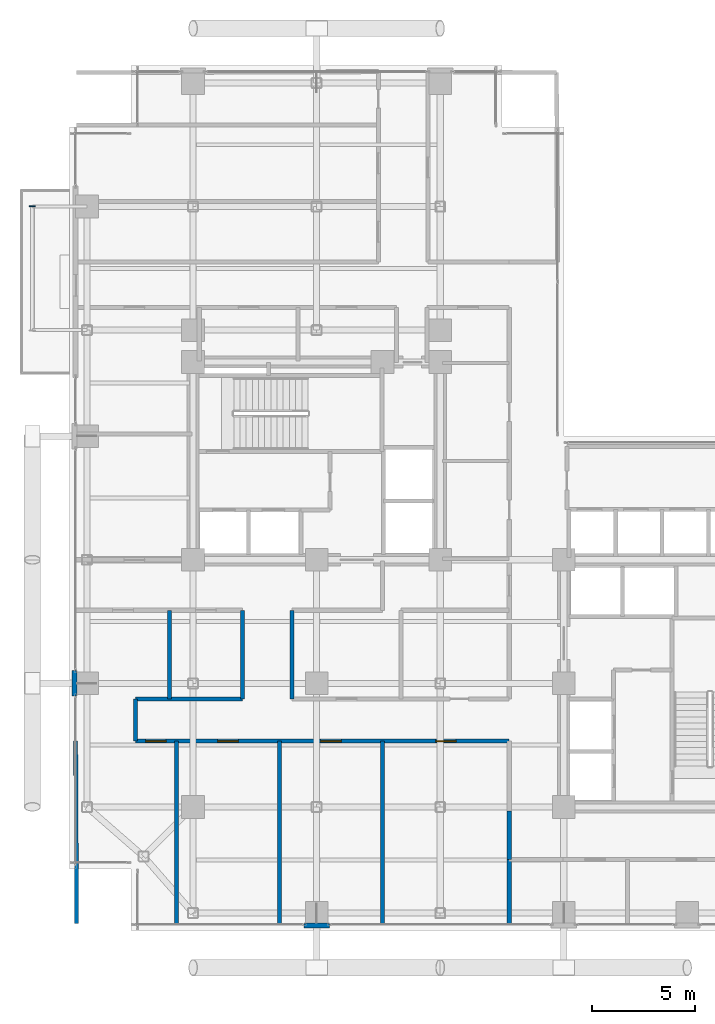
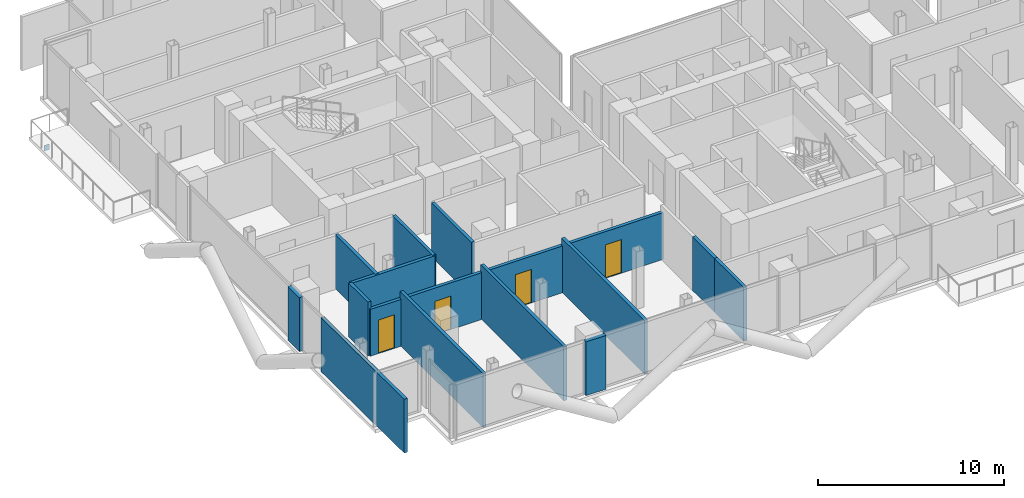
# One storey, part 21 of 28: 14 walls, 4 doors, 1 plate, 4 openings.
"""IFC4 building model written with IfcOpenShell, lengths in metres."""

from ifc_helpers import new_model, si_unit, direction, frame, frame_2d, origin, origin_2d, place, context, subcontext, project, spatial, rectangle, extrude, material, layer, layer_set, type_object, element, fill, save


model = new_model("IFC4")

# Units and contexts
model_context = context("Model", 3, precision=1e-05, world=origin(), true_north=direction((0.0, 1.0)))
body_context = subcontext(model_context, "Body", "Model", "MODEL_VIEW")
ifc_project = project(units=[si_unit("LENGTHUNIT", "METRE"), si_unit("AREAUNIT", "SQUARE_METRE"), si_unit("VOLUMEUNIT", "CUBIC_METRE"), si_unit("PLANEANGLEUNIT", "RADIAN"), si_unit("MASSUNIT", "GRAM", prefix="KILO"), si_unit("THERMODYNAMICTEMPERATUREUNIT", "KELVIN"), si_unit("POWERUNIT", "WATT")], contexts=[model_context])

# Site, building, storey
site_placement = place(None, origin())
site = spatial("IfcSite", under=ifc_project, at=site_placement, CompositionType="ELEMENT")
building_placement = place(site_placement, origin())
building = spatial("IfcBuilding", under=site, at=building_placement, Name="Svarakhadi Broadcast Tower", CompositionType="ELEMENT")
storey_placement = place(building_placement, frame((0.0, 0.0, 123.14990234375)))
storey = spatial("IfcBuildingStorey", under=building, at=storey_placement, Name="L29", CompositionType="ELEMENT", Elevation=123.14990234375)

# Plate
ifc_material_1 = material(Name="Steel S460ML (IS 2062 E450BR)", Category="steel")
ifc_layer_1 = layer(ifc_material_1, 0.028076171875)
ifc_layer_set_1 = layer_set([ifc_layer_1], Name="Steel S460ML (IS 2062 E450BR)")
plate_type = type_object("IfcPlateType", Name="Cap_Plate_CP02", PredefinedType="USERDEFINED", material=ifc_layer_set_1)
plate_placement = place(storey_placement, frame((-1.800048828125, 35.1650390625, -0.55517578125), z_axis=(0.0, 0.0, 1.0), x_axis=(1.0, 0.0, 0.0)))
element("IfcPlate", 1, at=plate_placement, inside=storey, type_object=plate_type, Name="L29 Balcony Spandrel End Cap Plate 2F-B", ObjectType="FLANGE_PLATE", PredefinedType="USERDEFINED", context=body_context, shape_type="SweptSolid", body=[
    extrude(rectangle(XDim=0.300048828125, YDim=0.0400390625, at=origin_2d()), origin(), (0.0, 0.0, 1.0), 0.360107421875),
])

# Walls
ifc_material_2 = material(Name="Double-Stud Acoustic Studio Partition STC-62", Category="gypsum")
ifc_layer_2 = layer(ifc_material_2, 0.199951171875)
ifc_layer_set_2 = layer_set([ifc_layer_2], Name="Double-Stud Acoustic Studio Partition STC-62")
wall_type_1 = type_object("IfcWallType", Name="Wall_Acoust_200", PredefinedType="PARTITIONING", material=ifc_layer_set_2)
wall_1_placement = place(storey_placement, frame((21.35009765625, 0.300048828125, 0.0), z_axis=(0.0, 0.0, 1.0), x_axis=(0.0, 1.0, 0.0)))
element("IfcWall", 2, at=wall_1_placement, inside=storey, type_object=wall_type_1, Name="L29 Harbour Front Production Office Wall", PredefinedType="PARTITIONING", context=body_context, shape_type="SweptSolid", body=[
    extrude(rectangle(XDim=3.14990234375, YDim=0.199951171875, at=frame_2d((1.574951171875, 0.0))), origin(), (0.0, 0.0, 1.0), 3.525146484375),
])
wall_2_placement = place(storey_placement, frame((0.35009765625, 0.35009765625, 0.0), z_axis=(0.0, 0.0, 1.0), x_axis=(-0.005655237989, 0.999984009014, 0.0)))
element("IfcWall", 3, at=wall_2_placement, inside=storey, type_object=wall_type_1, Name="L29 Offline Edit Pod 1 Wall", PredefinedType="PARTITIONING", context=body_context, shape_type="SweptSolid", body=[
    extrude(rectangle(XDim=8.85009765625, YDim=0.199951171875, at=frame_2d((4.425048828125, 0.0))), origin(), (0.0, 0.0, 1.0), 3.525146484375),
])
for number, where, z_axis, x_axis, name in (
    (4, (5.199951171875, 0.300048828125, 0.0), (0.0, 0.0, 1.0), (0.0, 1.0, 0.0), "L29 Offline Edit Pod 1 Wall"),
    (5, (10.199951171875, 0.300048828125, 0.0), (0.0, 0.0, 1.0), (0.0, 1.0, 0.0), "L29 Offline Edit Pod 2 Wall"),
    (6, (15.199951171875, 0.300048828125, 0.0), (0.0, 0.0, 1.0), (0.0, 1.0, 0.0), "L29 Online Finishing Room Wall"),
):
    element("IfcWall", number, at=place(storey_placement, frame(where, z_axis=z_axis, x_axis=x_axis)), inside=storey, type_object=wall_type_1, Name=name, PredefinedType="PARTITIONING", context=body_context, shape_type="SweptSolid", body=[
        extrude(rectangle(XDim=8.89990234375, YDim=0.199951171875, at=frame_2d((4.449951171875, 0.0))), origin(), (0.0, 0.0, 1.0), 3.525146484375),
    ])
wall_3_placement = place(storey_placement, frame((4.85009765625, 11.25, 0.0), z_axis=(0.0, 0.0, 1.0), x_axis=(0.0, 1.0, 0.0)))
element("IfcWall", 7, at=wall_3_placement, inside=storey, type_object=wall_type_1, Name="L29 Voiceover Booth Wall", PredefinedType="PARTITIONING", context=body_context, shape_type="SweptSolid", body=[
    extrude(rectangle(XDim=4.300048828125, YDim=0.199951171875, at=frame_2d((2.14990234375, 0.0))), origin(), (0.0, 0.0, 1.0), 3.525146484375),
])
ifc_material_3 = material(Name="Concrete C40/50 (IS 456 M50)", Category="concrete")
ifc_layer_3 = layer(ifc_material_3, 0.239990234375)
ifc_layer_set_3 = layer_set([ifc_layer_3], Name="Concrete C40/50 (IS 456 M50)")
wall_type_2 = type_object("IfcWallType", Name="Wall_Ext_240", PredefinedType="SOLIDWALL", material=ifc_layer_set_3)
for number, where, z_axis, x_axis, name in (
    (8, (0.239990234375, 11.385009765625, 0.0), (0.0, 0.0, 1.0), (0.0, 1.0, 0.0), "L29 Perimeter Bronze Spandrel Closure Wall 01"),
    (9, (12.614990234375, 0.239990234375, 0.0), (0.0, 0.0, 1.0), (-1.0, 0.0, 0.0), "L29 Perimeter Bronze Spandrel Closure Wall 08"),
):
    element("IfcWall", number, at=place(storey_placement, frame(where, z_axis=z_axis, x_axis=x_axis)), inside=storey, type_object=wall_type_2, Name=name, PredefinedType="SOLIDWALL", context=body_context, shape_type="SweptSolid", body=[
        extrude(rectangle(XDim=1.22998046875, YDim=0.239990234375, at=frame_2d((0.614990234375, 0.0))), origin(), (0.0, 0.0, 1.0), 3.525146484375),
    ])
ifc_layer_4 = layer(ifc_material_3, 0.199951171875)
ifc_layer_set_4 = layer_set([ifc_layer_4], Name="Concrete C40/50 (IS 456 M50)")
wall_type_3 = type_object("IfcWallType", Name="Wall_Fire_200", PredefinedType="SOLIDWALL", material=ifc_layer_set_4)
wall_4_placement = place(storey_placement, frame((21.35009765625, 3.449951171875, 0.0), z_axis=(0.0, 0.0, 1.0), x_axis=(0.0, 1.0, 0.0)))
element("IfcWall", 10, at=wall_4_placement, inside=storey, type_object=wall_type_3, Name="L29 Zone 2/3 Corridor Wall", PredefinedType="SOLIDWALL", context=body_context, shape_type="SweptSolid", body=[
    extrude(rectangle(XDim=2.35009765625, YDim=0.199951171875, at=frame_2d((1.175048828125, 0.0))), origin(), (0.0, 0.0, 1.0), 3.525146484375),
])

# Wall, openings, doors
wall_5_placement = place(storey_placement, frame((21.35009765625, 9.199951171875, 0.0), z_axis=(0.0, 0.0, 1.0), x_axis=(-1.0, 0.0, 0.0)))
wall_5 = element("IfcWall", 11, at=wall_5_placement, inside=storey, type_object=wall_type_3, Name="L29 Zone 2/3 Corridor Wall", PredefinedType="SOLIDWALL", context=body_context, shape_type="SweptSolid", body=[
    extrude(rectangle(XDim=18.150146484375, YDim=0.199951171875, at=frame_2d((9.0751953125, 0.0))), origin(), (0.0, 0.0, 1.0), 3.067138671875),
])
opening_1_placement = place(wall_5_placement, frame((16.64990234375, 0.0, 0.0)))
opening_1 = element("IfcOpeningElement", 12, at=opening_1_placement, cuts=wall_5, Name="Opening D-09", PredefinedType="OPENING", context=body_context, shape_type="SweptSolid", body=[
    extrude(rectangle(XDim=1.0, YDim=2.199951171875, at=frame_2d((0.5, 1.10009765625))), frame((0.0, 0.10986328125, 0.0), z_axis=(0.0, -1.0, 0.0), x_axis=(1.0, 0.0, 0.0)), (0.0, 0.0, 1.0), 0.219970703125),
])
opening_2_placement = place(wall_5_placement, frame((13.14990234375, 0.0, 0.0)))
opening_2 = element("IfcOpeningElement", 13, at=opening_2_placement, cuts=wall_5, Name="Opening D-08", PredefinedType="OPENING", context=body_context, shape_type="SweptSolid", body=[
    extrude(rectangle(XDim=1.0, YDim=2.199951171875, at=frame_2d((0.5, 1.10009765625))), frame((0.0, 0.10986328125, 0.0), z_axis=(0.0, -1.0, 0.0), x_axis=(1.0, 0.0, 0.0)), (0.0, 0.0, 1.0), 0.219970703125),
])
opening_3_placement = place(wall_5_placement, frame((8.14990234375, 0.0, 0.0)))
opening_3 = element("IfcOpeningElement", 14, at=opening_3_placement, cuts=wall_5, Name="Opening D-09", PredefinedType="OPENING", context=body_context, shape_type="SweptSolid", body=[
    extrude(rectangle(XDim=1.0, YDim=2.199951171875, at=frame_2d((0.5, 1.10009765625))), frame((0.0, 0.10986328125, 0.0), z_axis=(0.0, -1.0, 0.0), x_axis=(1.0, 0.0, 0.0)), (0.0, 0.0, 1.0), 0.219970703125),
])
opening_4_placement = place(wall_5_placement, frame((2.574951171875, 0.0, 0.0)))
opening_4 = element("IfcOpeningElement", 15, at=opening_4_placement, cuts=wall_5, Name="Opening D-08", PredefinedType="OPENING", context=body_context, shape_type="SweptSolid", body=[
    extrude(rectangle(XDim=1.0, YDim=2.199951171875, at=frame_2d((0.5, 1.10009765625))), frame((0.0, 0.10986328125, 0.0), z_axis=(0.0, -1.0, 0.0), x_axis=(1.0, 0.0, 0.0)), (0.0, 0.0, 1.0), 0.219970703125),
])
ifc_material_4 = material(Name="Solid-Core Teak Veneer Acoustic Timber Leaf", Category="wood")
door_type_1 = type_object("IfcDoorType", Name="Door_Suite_D08", OperationType="SINGLE_SWING_LEFT", PredefinedType="DOOR", material=ifc_material_4)
door_1_placement = place(opening_2_placement, origin())
door_1 = element("IfcDoor", 16, at=door_1_placement, inside=storey, type_object=door_type_1, Name="L29 Offline Edit Pod 2 Door", OperationType="SINGLE_SWING_LEFT", OverallHeight=2.199951171875, OverallWidth=1.0, PredefinedType="DOOR", context=body_context, shape_type="SweptSolid", body=[
    extrude(rectangle(XDim=1.0, YDim=2.199951171875, at=frame_2d((0.5, 1.10009765625))), frame((0.0, 0.02490234375, 0.0), z_axis=(0.0, -1.0, 0.0), x_axis=(1.0, 0.0, 0.0)), (0.0, 0.0, 1.0), 0.050048828125),
])
fill(opening_2, door_1)
door_2_placement = place(opening_4_placement, origin())
door_2 = element("IfcDoor", 17, at=door_2_placement, inside=storey, type_object=door_type_1, Name="L29 Audio Layback Pod Door", OperationType="SINGLE_SWING_LEFT", OverallHeight=2.199951171875, OverallWidth=1.0, PredefinedType="DOOR", context=body_context, shape_type="SweptSolid", body=[
    extrude(rectangle(XDim=1.0, YDim=2.199951171875, at=frame_2d((0.5, 1.10009765625))), frame((0.0, 0.02490234375, 0.0), z_axis=(0.0, -1.0, 0.0), x_axis=(1.0, 0.0, 0.0)), (0.0, 0.0, 1.0), 0.050048828125),
])
fill(opening_4, door_2)
door_type_2 = type_object("IfcDoorType", Name="Door_Suite_D09", OperationType="SINGLE_SWING_RIGHT", PredefinedType="DOOR", material=ifc_material_4)
door_3_placement = place(opening_1_placement, origin())
door_3 = element("IfcDoor", 18, at=door_3_placement, inside=storey, type_object=door_type_2, Name="L29 Offline Edit Pod 1 Door", OperationType="SINGLE_SWING_RIGHT", OverallHeight=2.199951171875, OverallWidth=1.0, PredefinedType="DOOR", context=body_context, shape_type="SweptSolid", body=[
    extrude(rectangle(XDim=1.0, YDim=2.199951171875, at=frame_2d((0.5, 1.10009765625))), frame((0.0, 0.02490234375, 0.0), z_axis=(0.0, -1.0, 0.0), x_axis=(1.0, 0.0, 0.0)), (0.0, 0.0, 1.0), 0.050048828125),
])
fill(opening_1, door_3)
door_4_placement = place(opening_3_placement, origin())
door_4 = element("IfcDoor", 19, at=door_4_placement, inside=storey, type_object=door_type_2, Name="L29 Online Finishing Room Door", OperationType="SINGLE_SWING_RIGHT", OverallHeight=2.199951171875, OverallWidth=1.0, PredefinedType="DOOR", context=body_context, shape_type="SweptSolid", body=[
    extrude(rectangle(XDim=1.0, YDim=2.199951171875, at=frame_2d((0.5, 1.10009765625))), frame((0.0, 0.02490234375, 0.0), z_axis=(0.0, -1.0, 0.0), x_axis=(1.0, 0.0, 0.0)), (0.0, 0.0, 1.0), 0.050048828125),
])
fill(opening_3, door_4)

# Walls
wall_6_placement = place(storey_placement, frame((3.199951171875, 9.199951171875, 0.0), z_axis=(0.0, 0.0, 1.0), x_axis=(0.0, 1.0, 0.0)))
element("IfcWall", 20, at=wall_6_placement, inside=storey, type_object=wall_type_3, Name="L29 Zone 2/3 Corridor Wall", PredefinedType="SOLIDWALL", context=body_context, shape_type="SweptSolid", body=[
    extrude(rectangle(XDim=2.050048828125, YDim=0.199951171875, at=frame_2d((1.02490234375, 0.0))), origin(), (0.0, 0.0, 1.0), 3.525146484375),
])
wall_7_placement = place(storey_placement, frame((3.199951171875, 11.25, 0.0), z_axis=(0.0, 0.0, 1.0), x_axis=(1.0, 0.0, 0.0)))
element("IfcWall", 21, at=wall_7_placement, inside=storey, type_object=wall_type_3, Name="L29 Zone 2/3 Corridor Wall", PredefinedType="SOLIDWALL", context=body_context, shape_type="SweptSolid", body=[
    extrude(rectangle(XDim=5.199951171875, YDim=0.199951171875, at=frame_2d((2.60009765625, 0.0))), origin(), (0.0, 0.0, 1.0), 3.525146484375),
])
for number, where, z_axis, x_axis, name in (
    (22, (8.39990234375, 11.25, 0.0), (0.0, 0.0, 1.0), (0.0, 1.0, 0.0), "L29 Zone 2/3 Corridor Wall"),
    (23, (10.800048828125, 15.550048828125, 0.0), (0.0, 0.0, 1.0), (0.0, -1.0, 0.0), "L29 Zone 2/3 Corridor Wall"),
):
    element("IfcWall", number, at=place(storey_placement, frame(where, z_axis=z_axis, x_axis=x_axis)), inside=storey, type_object=wall_type_3, Name=name, PredefinedType="SOLIDWALL", context=body_context, shape_type="SweptSolid", body=[
        extrude(rectangle(XDim=4.300048828125, YDim=0.199951171875, at=frame_2d((2.14990234375, 0.0))), origin(), (0.0, 0.0, 1.0), 3.525146484375),
    ])

save(model, "model.ifc")
